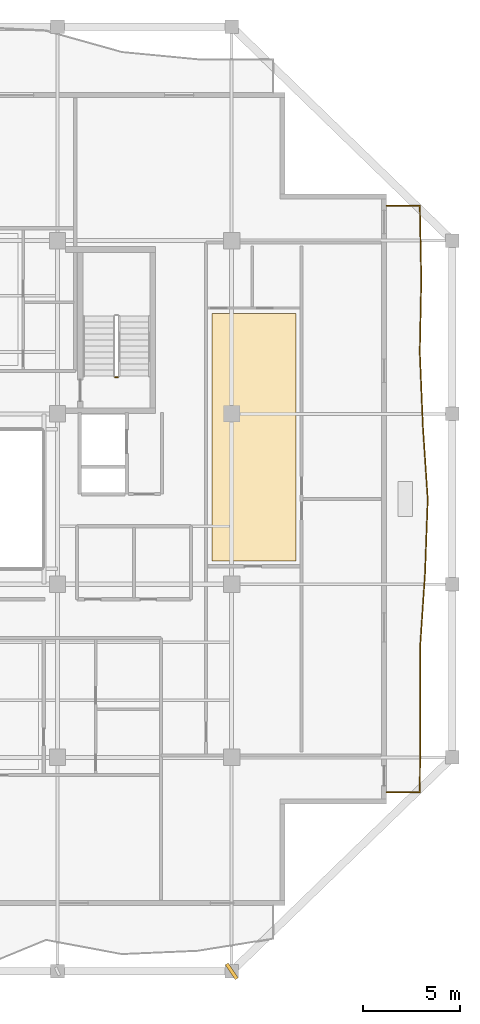
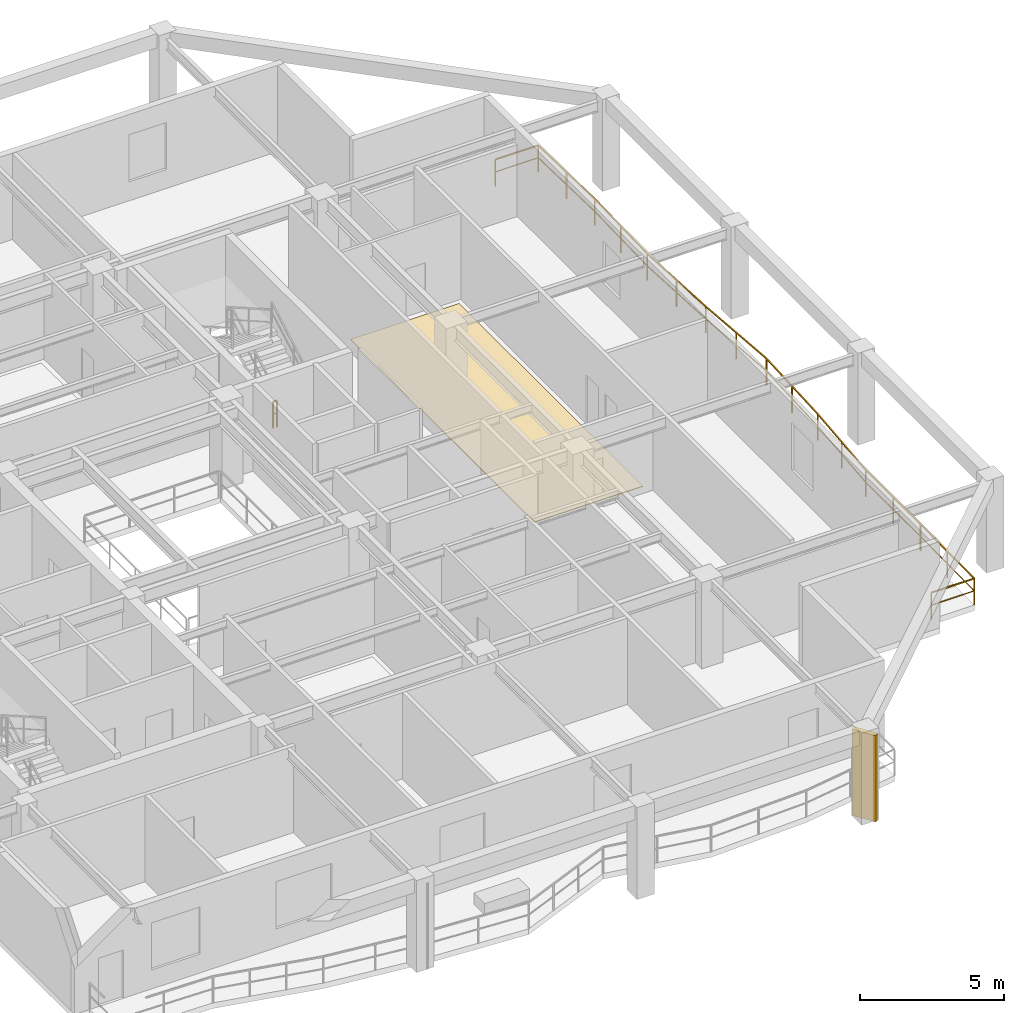
# One storey, part 9 of 11: 2 railings, 1 covering, 1 shading device.
"""IFC4 building model written with IfcOpenShell, lengths in metres."""

import ifcopenshell
import ifcopenshell.guid

model = None  # the IFC model being written
_history = None  # IfcOwnerHistory: only IFC2X3 demands one
_inside = {}  # id of a spatial element -> (the spatial element, [elements in it])
_under = {}  # id of a project, library or spatial element -> (it, [spatial elements below it])
_declared = {}  # id of a project -> (the project, [libraries it declares])
_typed = {}  # id of a type object -> (the type object, [elements of that type])
_made_of = {}  # id of a material, layer set ... -> (it, [elements and type objects made of it])


def new_model(schema):
    """Start an empty IFC model of exactly this schema.

    Asked for "IFC4X3", IfcOpenShell would pick the latest addendum, in which some entities
    have other attributes; the version numbers below select the first issue.
    IFC2X3 requires an IfcOwnerHistory on every rooted entity: one is made here for all.
    """
    global model, _history
    if schema == "IFC4X3":
        model = ifcopenshell.file(schema_version=(4, 3, 0, 0))
    else:
        model = ifcopenshell.file(schema=schema)
    _inside.clear()
    _under.clear()
    _declared.clear()
    _typed.clear()
    _made_of.clear()
    _history = None
    if model.schema == "IFC2X3":
        org = make("IfcOrganization", Name="unknown")
        user = make(
            "IfcPersonAndOrganization",
            ThePerson=make("IfcPerson", FamilyName="unknown"),
            TheOrganization=org,
        )
        app = make(
            "IfcApplication",
            ApplicationDeveloper=org,
            Version="unknown",
            ApplicationFullName="unknown",
            ApplicationIdentifier="unknown",
        )
        _history = make(
            "IfcOwnerHistory",
            OwningUser=user,
            OwningApplication=app,
            ChangeAction="ADDED",
            CreationDate=0,
        )
    return model


def make(cls, **values):
    """One entity of the class cls with the attributes given. An attribute that is None is left unset."""
    return model.create_entity(
        cls, **{name: value for name, value in values.items() if value is not None}
    )


def rooted(cls, **values):
    """An entity with a GlobalId (a new one), such as an element, a storey or a relation."""
    return make(cls, GlobalId=ifcopenshell.guid.new(), OwnerHistory=_history, **values)


def si_unit(unit_type, name, prefix=None):
    """IfcSIUnit, for example si_unit("LENGTHUNIT", "METRE", prefix="MILLI")."""
    return make("IfcSIUnit", UnitType=unit_type, Prefix=prefix, Name=name)


def assignment(units):
    """IfcUnitAssignment: the units of a project."""
    return None if units is None else make("IfcUnitAssignment", Units=units)


def point(xyz):
    """IfcCartesianPoint."""
    return None if xyz is None else make("IfcCartesianPoint", Coordinates=xyz)


def direction(xyz):
    """IfcDirection."""
    return None if xyz is None else make("IfcDirection", DirectionRatios=xyz)


def frame(location, z_axis=None, x_axis=None):
    """IfcAxis2Placement3D, a coordinate frame: its origin and axes. An axis left out is left unset."""
    return make(
        "IfcAxis2Placement3D",
        Location=point(location),
        Axis=direction(z_axis),
        RefDirection=direction(x_axis),
    )


def frame_2d(location, x_axis=None):
    """IfcAxis2Placement2D, a coordinate frame in the plane: its origin and x axis."""
    return make(
        "IfcAxis2Placement2D", Location=point(location), RefDirection=direction(x_axis)
    )


def origin():
    """The frame at (0, 0, 0) with its axes left unset."""
    return frame((0.0, 0.0, 0.0))


def origin_2d():
    """The frame at (0, 0) in the plane with its x axis left unset."""
    return frame_2d((0.0, 0.0))


def place(relative_to, where):
    """IfcLocalPlacement: puts the frame where relative to a parent placement (None: the world)."""
    return make(
        "IfcLocalPlacement", PlacementRelTo=relative_to, RelativePlacement=where
    )


def context(
    kind, dimensions, precision=None, world=None, true_north=None, identifier=None
):
    """IfcGeometricRepresentationContext, for example the 3D "Model" context."""
    return make(
        "IfcGeometricRepresentationContext",
        ContextIdentifier=identifier,
        ContextType=kind,
        CoordinateSpaceDimension=dimensions,
        Precision=precision,
        WorldCoordinateSystem=world,
        TrueNorth=true_north,
    )


def subcontext(parent, identifier, kind, view, scale=None):
    """IfcGeometricRepresentationSubContext, for example "Body" below "Model"."""
    return make(
        "IfcGeometricRepresentationSubContext",
        ContextIdentifier=identifier,
        ContextType=kind,
        ParentContext=parent,
        TargetScale=scale,
        TargetView=view,
    )


def project(units=None, contexts=None):
    """IfcProject with its units and contexts."""
    return rooted(
        "IfcProject",
        Name="project",
        RepresentationContexts=contexts,
        UnitsInContext=assignment(units),
    )


def spatial(cls, under=None, at=None, **own):
    """A site, building, storey or space (cls), placed at a placement, below another one or the project."""
    s = rooted(cls, ObjectPlacement=at, **own)
    if under is not None:
        _under.setdefault(under.id(), (under, []))[1].append(s)
    return s


def polyline(points):
    """IfcPolyline through the points."""
    return make("IfcPolyline", Points=[point(p) for p in points])


def profile(cls, at=None, kind="AREA", **sizes):
    """A parametric profile (cls). Its sizes go by their IFC names, for example OverallWidth=200.0."""
    return make(cls, ProfileType=kind, Position=at, **sizes)


def rectangle(**sizes):
    """IfcRectangleProfileDef."""
    return profile("IfcRectangleProfileDef", **sizes)


def outline(outer, holes=None, kind="AREA"):
    """IfcArbitraryClosedProfileDef: a profile drawn as a closed curve; with holes, ...WithVoids."""
    if holes is None:
        return make("IfcArbitraryClosedProfileDef", ProfileType=kind, OuterCurve=outer)
    return make(
        "IfcArbitraryProfileDefWithVoids",
        ProfileType=kind,
        OuterCurve=outer,
        InnerCurves=holes,
    )


def extrude(swept, where, along, depth):
    """IfcExtrudedAreaSolid: the profile swept, set in the frame where, extruded along a direction by depth."""
    return make(
        "IfcExtrudedAreaSolid",
        SweptArea=swept,
        Position=where,
        ExtrudedDirection=direction(along),
        Depth=depth,
    )


def shape(context_of_items, identifier, shape_type, items):
    """IfcShapeRepresentation: the items that make up one representation, for example the "Body"."""
    return make(
        "IfcShapeRepresentation",
        ContextOfItems=context_of_items,
        RepresentationIdentifier=identifier,
        RepresentationType=shape_type,
        Items=items,
    )


def material(Name=None, Category=None):
    """IfcMaterial."""
    return make("IfcMaterial", Name=Name, Category=Category)


def layer(
    of_material, thickness, ventilated=None, Name=None, Category=None, Priority=None
):
    """IfcMaterialLayer: one layer of a wall or slab, of a material (None: an air gap)."""
    return make(
        "IfcMaterialLayer",
        Material=of_material,
        LayerThickness=thickness,
        IsVentilated=ventilated,
        Name=Name,
        Category=Category,
        Priority=Priority,
    )


def layer_set(layers, Name=None):
    """IfcMaterialLayerSet."""
    return make("IfcMaterialLayerSet", MaterialLayers=layers, LayerSetName=Name)


def made_of(thing, what):
    """Note that an element or type object is made of a material, layer set ...; save() writes the relation."""
    if what is not None:
        _made_of.setdefault(what.id(), (what, []))[1].append(thing)
    return thing


def type_object(cls, material=None, **own):
    """A type object (cls), such as IfcWallType, which elements share."""
    return made_of(rooted(cls, **own), material)


def element(
    cls,
    number,
    at=None,
    inside=None,
    cuts=None,
    type_object=None,
    material=None,
    context=None,
    identifier="Body",
    shape_type=None,
    held_by="IfcProductDefinitionShape",
    body=None,
    shapes=None,
    **own,
):
    """One element of the class cls, such as IfcWall. Its Tag is "e" and its number.

    at: its placement. inside: the storey or other place that contains it. cuts: it is an
    opening in that element (IfcRelVoidsElement). A single representation is given by context,
    identifier, shape_type and body (its items); several are given by shapes. held_by: the class
    of the entity that holds the representations. save() writes the other relations.
    """
    e = rooted(cls, Tag="e%d" % number, ObjectPlacement=at, **own)
    if body is not None:
        shapes = [shape(context, identifier, shape_type, body)]
    if shapes is not None:
        e.Representation = make(held_by, Representations=shapes)
    if inside is not None:
        _inside.setdefault(inside.id(), (inside, []))[1].append(e)
    if cuts is not None:
        rooted(
            "IfcRelVoidsElement", RelatingBuildingElement=cuts, RelatedOpeningElement=e
        )
    if type_object is not None:
        _typed.setdefault(type_object.id(), (type_object, []))[1].append(e)
    return made_of(e, material)


def aggregate(whole, parts):
    """IfcRelAggregates: a whole, such as a stair, and the parts it consists of."""
    return rooted("IfcRelAggregates", RelatingObject=whole, RelatedObjects=parts)


def save(model, path):
    """Write the relations noted so far, then the file.

    IfcRelAggregates (storeys below a building ...), IfcRelContainedInSpatialStructure (elements
    in a storey), IfcRelDefinesByType, IfcRelAssociatesMaterial and IfcRelDeclares: one each for
    every whole, place, type object, material and project.
    """
    for whole, parts in _under.values():
        aggregate(whole, parts)
    for where, things in _inside.values():
        rooted(
            "IfcRelContainedInSpatialStructure",
            RelatedElements=things,
            RelatingStructure=where,
        )
    for kind, things in _typed.values():
        rooted("IfcRelDefinesByType", RelatedObjects=things, RelatingType=kind)
    for what, things in _made_of.values():
        rooted("IfcRelAssociatesMaterial", RelatedObjects=things, RelatingMaterial=what)
    for by, libraries in _declared.values():
        rooted("IfcRelDeclares", RelatingContext=by, RelatedDefinitions=libraries)
    model.write(path)


model = new_model("IFC4")

# Units and contexts
model_context = context("Model", 3, precision=1e-05, world=origin(), true_north=direction((0.0, 1.0)))
body_context = subcontext(model_context, "Body", "Model", "MODEL_VIEW")
ifc_project = project(units=[si_unit("LENGTHUNIT", "METRE"), si_unit("AREAUNIT", "SQUARE_METRE"), si_unit("VOLUMEUNIT", "CUBIC_METRE"), si_unit("PLANEANGLEUNIT", "RADIAN"), si_unit("MASSUNIT", "GRAM", prefix="KILO")], contexts=[model_context])

# Site, building, storey
site_placement = place(None, origin())
site = spatial("IfcSite", under=ifc_project, at=site_placement, CompositionType="ELEMENT")
building_placement = place(site_placement, origin())
building = spatial("IfcBuilding", under=site, at=building_placement, Name="Kundavana Baori Tower", CompositionType="ELEMENT")
storey_placement = place(building_placement, frame((0.0, 0.0, 249.199951171875)))
storey = spatial("IfcBuildingStorey", under=building, at=storey_placement, Name="L61", CompositionType="ELEMENT", Elevation=249.199951171875)

# Covering
ifc_material_1 = material(Name="Honed Kota Stone and Terrazzo Flooring", Category="masonry")
ifc_layer = layer(ifc_material_1, 0.030029296875, Name="COV-INT-FLR")
ifc_layer_set = layer_set([ifc_layer], Name="Honed Kota Stone and Terrazzo Flooring")
covering_type = type_object("IfcCoveringType", Name="COV-INT-FLR", PredefinedType="FLOORING", material=ifc_layer_set)
covering_placement = place(storey_placement, origin())
element("IfcCovering", 1, at=covering_placement, inside=storey, type_object=covering_type, Name="L61 Room Finished Stone Flooring 5", PredefinedType="FLOORING", context=body_context, shape_type="SweptSolid", body=[
    extrude(outline(polyline([(41.780029296875, 25.409912109375), (46.1298828125, 25.409912109375), (46.1298828125, 38.18994140625), (41.780029296875, 38.18994140625), (41.780029296875, 25.409912109375)])), origin(), (0.0, 0.0, 1.0), 0.030029296875),
])

# Railings
ifc_material_2 = material(Name="Architectural Patinated Bronze Metalwork")
railing_type_1 = type_object("IfcRailingType", Name="RL-BAL-1150", PredefinedType="BALUSTRADE", material=ifc_material_2)
railing_1_placement = place(storey_placement, frame((50.800048828125, 43.75, 0.0)))
element("IfcRailing", 2, at=railing_1_placement, inside=storey, type_object=railing_type_1, Name="L61 Loggia Balcony Balustrade E", PredefinedType="BALUSTRADE", context=body_context, shape_type="SweptSolid", body=[
    extrude(rectangle(XDim=0.048095703125, YDim=0.048095703125, at=origin_2d()), frame((0.0, 0.0, 1.1259765625), z_axis=(1.0, 0.0, 0.0), x_axis=(0.0, 1.0, 0.0)), (0.0, 0.0, 1.0), 1.719970703125),
    extrude(rectangle(XDim=0.03125, YDim=0.03125, at=origin_2d()), frame((0.0, 0.0, 0.597900390625), z_axis=(1.0, 0.0, 0.0), x_axis=(0.0, 1.0, 0.0)), (0.0, 0.0, 1.0), 1.719970703125),
    extrude(rectangle(XDim=0.048095703125, YDim=0.048095703125, at=origin_2d()), frame((1.719970703125, 0.0, 1.1259765625), z_axis=(0.020039800588, -0.999799183032, 0.0), x_axis=(0.999799183032, 0.020039800588, 0.0)), (0.0, 0.0, 1.0), 3.788818359375),
    extrude(rectangle(XDim=0.03125, YDim=0.03125, at=origin_2d()), frame((1.719970703125, 0.0, 0.597900390625), z_axis=(0.020039800588, -0.999799183032, 0.0), x_axis=(0.999799183032, 0.020039800588, 0.0)), (0.0, 0.0, 1.0), 3.788818359375),
    extrude(rectangle(XDim=0.048095703125, YDim=0.048095703125, at=origin_2d()), frame((1.7958984375, -3.7880859375, 1.1259765625), z_axis=(-0.02004625786, -0.999799053583, 0.0), x_axis=(0.999799053583, -0.02004625786, 0.0)), (0.0, 0.0, 1.0), 3.78759765625),
    extrude(rectangle(XDim=0.03125, YDim=0.03125, at=origin_2d()), frame((1.7958984375, -3.7880859375, 0.597900390625), z_axis=(-0.02004625786, -0.999799053583, 0.0), x_axis=(0.999799053583, -0.02004625786, 0.0)), (0.0, 0.0, 1.0), 3.78759765625),
    extrude(rectangle(XDim=0.048095703125, YDim=0.048095703125, at=origin_2d()), frame((1.719970703125, -7.574951171875, 1.1259765625), z_axis=(0.041673410399, -0.999131286101, 0.0), x_axis=(0.999131286101, 0.041673410399, 0.0)), (0.0, 0.0, 1.0), 3.790283203125),
    extrude(rectangle(XDim=0.03125, YDim=0.03125, at=origin_2d()), frame((1.719970703125, -7.574951171875, 0.597900390625), z_axis=(0.041673410399, -0.999131286101, 0.0), x_axis=(0.999131286101, 0.041673410399, 0.0)), (0.0, 0.0, 1.0), 3.790283203125),
    extrude(rectangle(XDim=0.048095703125, YDim=0.048095703125, at=origin_2d()), frame((1.8779296875, -11.362060546875, 1.1259765625), z_axis=(0.066369613268, -0.99779510644, 0.0), x_axis=(0.99779510644, 0.066369613268, 0.0)), (0.0, 0.0, 1.0), 3.796142578125),
    extrude(rectangle(XDim=0.03125, YDim=0.03125, at=origin_2d()), frame((1.8779296875, -11.362060546875, 0.597900390625), z_axis=(0.066369613268, -0.99779510644, 0.0), x_axis=(0.99779510644, 0.066369613268, 0.0)), (0.0, 0.0, 1.0), 3.796142578125),
    extrude(rectangle(XDim=0.048095703125, YDim=0.048095703125, at=origin_2d()), frame((2.1298828125, -15.14990234375, 1.1259765625), z_axis=(-0.035875318663, -0.999356273564, 0.0), x_axis=(0.999356273564, -0.035875318663, 0.0)), (0.0, 0.0, 1.0), 3.79052734375),
    extrude(rectangle(XDim=0.03125, YDim=0.03125, at=origin_2d()), frame((2.1298828125, -15.14990234375, 0.597900390625), z_axis=(-0.035875318663, -0.999356273564, 0.0), x_axis=(0.999356273564, -0.035875318663, 0.0)), (0.0, 0.0, 1.0), 3.79052734375),
    extrude(rectangle(XDim=0.048095703125, YDim=0.048095703125, at=origin_2d()), frame((1.993896484375, -18.93798828125, 1.1259765625), z_axis=(-0.066382392505, -0.99779425633, 0.0), x_axis=(0.99779425633, -0.066382392505, 0.0)), (0.0, 0.0, 1.0), 3.79541015625),
    extrude(rectangle(XDim=0.03125, YDim=0.03125, at=origin_2d()), frame((1.993896484375, -18.93798828125, 0.597900390625), z_axis=(-0.066382392505, -0.99779425633, 0.0), x_axis=(0.99779425633, -0.066382392505, 0.0)), (0.0, 0.0, 1.0), 3.79541015625),
    extrude(rectangle(XDim=0.048095703125, YDim=0.048095703125, at=origin_2d()), frame((1.741943359375, -22.72509765625, 1.1259765625), z_axis=(0.00238539712, -0.999997154936, 0.0), x_axis=(0.999997154936, 0.00238539712, 0.0)), (0.0, 0.0, 1.0), 3.786865234375),
    extrude(rectangle(XDim=0.03125, YDim=0.03125, at=origin_2d()), frame((1.741943359375, -22.72509765625, 0.597900390625), z_axis=(0.00238539712, -0.999997154936, 0.0), x_axis=(0.999997154936, 0.00238539712, 0.0)), (0.0, 0.0, 1.0), 3.786865234375),
    extrude(rectangle(XDim=0.048095703125, YDim=0.048095703125, at=origin_2d()), frame((1.7509765625, -26.511962890625, 1.1259765625), z_axis=(-0.008184825082, -0.999966503758, 0.0), x_axis=(0.999966503758, -0.008184825082, 0.0)), (0.0, 0.0, 1.0), 3.788330078125),
    extrude(rectangle(XDim=0.03125, YDim=0.03125, at=origin_2d()), frame((1.7509765625, -26.511962890625, 0.597900390625), z_axis=(-0.008184825082, -0.999966503758, 0.0), x_axis=(0.999966503758, -0.008184825082, 0.0)), (0.0, 0.0, 1.0), 3.788330078125),
    extrude(rectangle(XDim=0.048095703125, YDim=0.048095703125, at=origin_2d()), frame((1.719970703125, -30.300048828125, 1.1259765625), z_axis=(-1.0, 0.0, 0.0), x_axis=(0.0, -1.0, 0.0)), (0.0, 0.0, 1.0), 1.719970703125),
    extrude(rectangle(XDim=0.03125, YDim=0.03125, at=origin_2d()), frame((1.719970703125, -30.300048828125, 0.597900390625), z_axis=(-1.0, 0.0, 0.0), x_axis=(0.0, -1.0, 0.0)), (0.0, 0.0, 1.0), 1.719970703125),
    extrude(rectangle(XDim=0.0419921875, YDim=0.0419921875, at=origin_2d()), origin(), (0.0, 0.0, 1.0), 1.101806640625),
    extrude(rectangle(XDim=0.0419921875, YDim=0.0419921875, at=origin_2d()), frame((1.719970703125, 0.0, 0.0)), (0.0, 0.0, 1.0), 1.101806640625),
    extrude(rectangle(XDim=0.0419921875, YDim=0.0419921875, at=origin_2d()), frame((1.7578125, -1.89404296875, 0.0)), (0.0, 0.0, 1.0), 1.101806640625),
    extrude(rectangle(XDim=0.0419921875, YDim=0.0419921875, at=origin_2d()), frame((1.7958984375, -3.7880859375, 0.0)), (0.0, 0.0, 1.0), 1.101806640625),
    extrude(rectangle(XDim=0.0419921875, YDim=0.0419921875, at=origin_2d()), frame((1.7578125, -5.681640625, 0.0)), (0.0, 0.0, 1.0), 1.101806640625),
    extrude(rectangle(XDim=0.0419921875, YDim=0.0419921875, at=origin_2d()), frame((1.719970703125, -7.574951171875, 0.0)), (0.0, 0.0, 1.0), 1.101806640625),
    extrude(rectangle(XDim=0.0419921875, YDim=0.0419921875, at=origin_2d()), frame((1.798828125, -9.468505859375, 0.0)), (0.0, 0.0, 1.0), 1.101806640625),
    extrude(rectangle(XDim=0.0419921875, YDim=0.0419921875, at=origin_2d()), frame((1.8779296875, -11.362060546875, 0.0)), (0.0, 0.0, 1.0), 1.101806640625),
    extrude(rectangle(XDim=0.0419921875, YDim=0.0419921875, at=origin_2d()), frame((2.00390625, -13.255859375, 0.0)), (0.0, 0.0, 1.0), 1.101806640625),
    extrude(rectangle(XDim=0.0419921875, YDim=0.0419921875, at=origin_2d()), frame((2.1298828125, -15.14990234375, 0.0)), (0.0, 0.0, 1.0), 1.101806640625),
    extrude(rectangle(XDim=0.0419921875, YDim=0.0419921875, at=origin_2d()), frame((2.06201171875, -17.0439453125, 0.0)), (0.0, 0.0, 1.0), 1.101806640625),
    extrude(rectangle(XDim=0.0419921875, YDim=0.0419921875, at=origin_2d()), frame((1.993896484375, -18.93798828125, 0.0)), (0.0, 0.0, 1.0), 1.101806640625),
    extrude(rectangle(XDim=0.0419921875, YDim=0.0419921875, at=origin_2d()), frame((1.867919921875, -20.83154296875, 0.0)), (0.0, 0.0, 1.0), 1.101806640625),
    extrude(rectangle(XDim=0.0419921875, YDim=0.0419921875, at=origin_2d()), frame((1.741943359375, -22.72509765625, 0.0)), (0.0, 0.0, 1.0), 1.101806640625),
    extrude(rectangle(XDim=0.0419921875, YDim=0.0419921875, at=origin_2d()), frame((1.74658203125, -24.61865234375, 0.0)), (0.0, 0.0, 1.0), 1.101806640625),
    extrude(rectangle(XDim=0.0419921875, YDim=0.0419921875, at=origin_2d()), frame((1.7509765625, -26.511962890625, 0.0)), (0.0, 0.0, 1.0), 1.101806640625),
    extrude(rectangle(XDim=0.0419921875, YDim=0.0419921875, at=origin_2d()), frame((1.7353515625, -28.406005859375, 0.0)), (0.0, 0.0, 1.0), 1.101806640625),
    extrude(rectangle(XDim=0.0419921875, YDim=0.0419921875, at=origin_2d()), frame((1.719970703125, -30.300048828125, 0.0)), (0.0, 0.0, 1.0), 1.101806640625),
    extrude(rectangle(XDim=0.0419921875, YDim=0.0419921875, at=origin_2d()), frame((0.0, -30.300048828125, 0.0)), (0.0, 0.0, 1.0), 1.101806640625),
])
ifc_material_3 = material(Name="Architectural Patinated Bronze Metalwork")
railing_type_2 = type_object("IfcRailingType", Name="RL-GRD-1150", PredefinedType="GUARDRAIL", material=ifc_material_3)
railing_2_placement = place(storey_placement, frame((36.929931640625, 34.89990234375, 0.0)))
element("IfcRailing", 3, at=railing_2_placement, inside=storey, type_object=railing_type_2, Name="L61 ST3 stair guard 4", PredefinedType="GUARDRAIL", context=body_context, shape_type="SweptSolid", body=[
    extrude(rectangle(XDim=0.048095703125, YDim=0.048095703125, at=origin_2d()), frame((0.0, 0.0, 1.1259765625), z_axis=(-1.0, 0.0, 0.0), x_axis=(0.0, -1.0, 0.0)), (0.0, 0.0, 1.0), 0.159912109375),
    extrude(rectangle(XDim=0.03125, YDim=0.03125, at=origin_2d()), frame((0.0, 0.0, 0.597900390625), z_axis=(-1.0, 0.0, 0.0), x_axis=(0.0, -1.0, 0.0)), (0.0, 0.0, 1.0), 0.159912109375),
    extrude(rectangle(XDim=0.0419921875, YDim=0.0419921875, at=origin_2d()), origin(), (0.0, 0.0, 1.0), 1.101806640625),
    extrude(rectangle(XDim=0.0419921875, YDim=0.0419921875, at=origin_2d()), frame((-0.159912109375, 0.0, 0.0)), (0.0, 0.0, 1.0), 1.101806640625),
])

# Shading device
ifc_material_4 = material(Name="Red-Buff Dholpur Sandstone Cladding on Concrete C40/50", Category="masonry")
shading_device_type = type_object("IfcShadingDeviceType", Name="SHD-FIN-920", PredefinedType="JALOUSIE", material=ifc_material_4)
shading_device_placement = place(storey_placement, frame((42.800048828125, 4.199951171875, 0.0), z_axis=(0.0, 0.0, 1.0), x_axis=(0.827472780913, 0.561505829755, 0.0)))
element("IfcShadingDevice", 4, at=shading_device_placement, inside=storey, type_object=shading_device_type, Name="L61 Sweeping Dholpur Sandstone Facade Fin 4", PredefinedType="JALOUSIE", context=body_context, shape_type="SweptSolid", body=[
    extrude(rectangle(XDim=0.179931640625, YDim=0.919921875, at=origin_2d()), origin(), (0.0, 0.0, 1.0), 3.659912109375),
])

save(model, "model.ifc")
